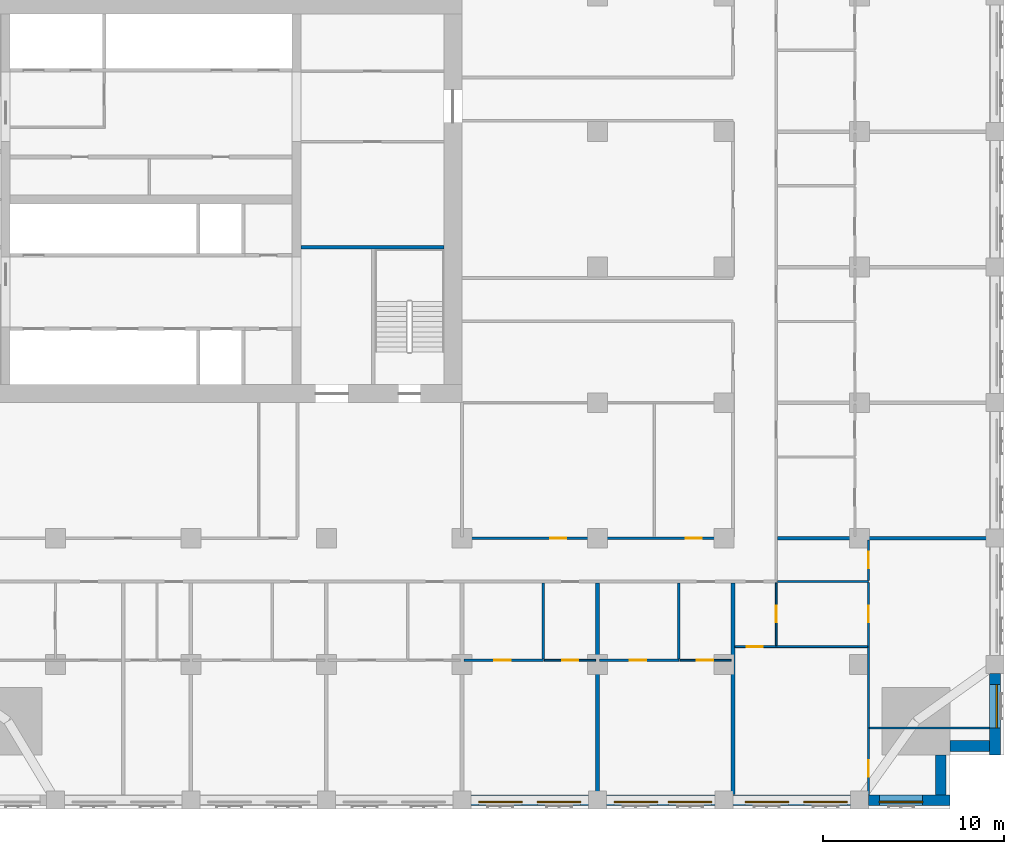
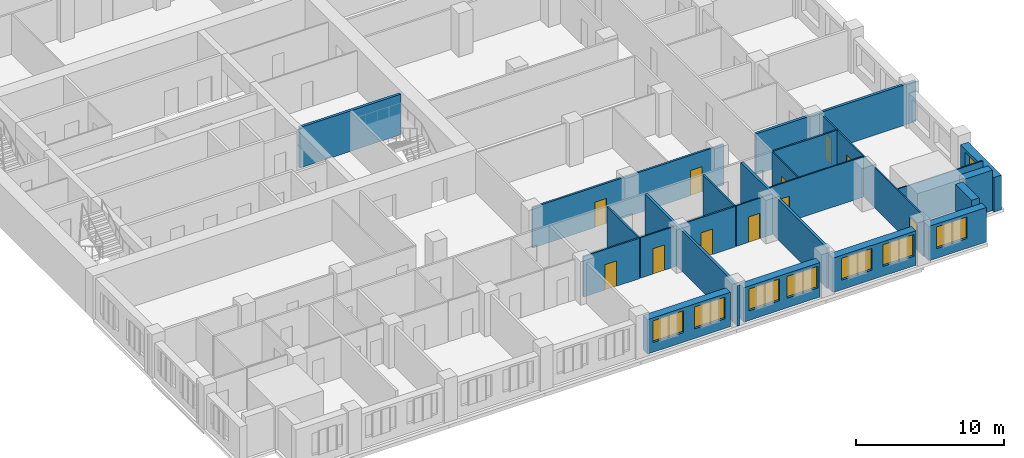
# One storey, part 6 of 14: 24 walls, 11 doors, 8 windows, 19 openings.
"""IFC4 building model written with IfcOpenShell, lengths in metres."""

from ifc_helpers import new_model, si_unit, direction, frame, frame_2d, origin, place, context, subcontext, project, spatial, rectangle, extrude, material, layer, layer_set, type_object, element, fill, save


model = new_model("IFC4")

# Units and contexts
model_context = context("Model", 3, precision=1e-05, world=origin(), true_north=direction((0.0, 1.0)))
body_context = subcontext(model_context, "Body", "Model", "MODEL_VIEW")
ifc_project = project(units=[si_unit("LENGTHUNIT", "METRE"), si_unit("AREAUNIT", "SQUARE_METRE"), si_unit("VOLUMEUNIT", "CUBIC_METRE"), si_unit("PLANEANGLEUNIT", "RADIAN"), si_unit("MASSUNIT", "GRAM", prefix="KILO")], contexts=[model_context])

# Site, building, storey
site_placement = place(None, origin())
site = spatial("IfcSite", under=ifc_project, at=site_placement, CompositionType="ELEMENT")
building_placement = place(site_placement, origin())
building = spatial("IfcBuilding", under=site, at=building_placement, Name="Tamorin Gate", CompositionType="ELEMENT")
storey_placement = place(building_placement, frame((0.0, 0.0, 86.300048828125)))
storey = spatial("IfcBuildingStorey", under=building, at=storey_placement, Name="L20", CompositionType="ELEMENT", Elevation=86.300048828125)

# Wall, openings, windows
ifc_material_1 = material(Name="Precast concrete C40/50", Category="concrete")
ifc_layer_1 = layer(ifc_material_1, 0.60009765625)
ifc_layer_set_1 = layer_set([ifc_layer_1], Name="Precast concrete C40/50")
wall_type_1 = type_object("IfcWallType", Name="Board-marked concrete facade panel 600", PredefinedType="SOLIDWALL", material=ifc_layer_set_1)
wall_1_placement = place(storey_placement, frame((60.5, 38.0, 0.0), z_axis=(0.0, 0.0, 1.0), x_axis=(1.0, 0.0, 0.0)))
wall_1 = element("IfcWall", 1, at=wall_1_placement, inside=storey, type_object=wall_type_1, Name="Facade panel", PredefinedType="SOLIDWALL", context=body_context, shape_type="SweptSolid", body=[
    extrude(rectangle(XDim=6.5, YDim=0.60009765625, at=frame_2d((3.25, 0.0))), origin(), (0.0, 0.0, 1.0), 2.849853515625),
])
opening_1_placement = place(wall_1_placement, frame((0.425048828125, 0.0, 0.800048828125)))
opening_1 = element("IfcOpeningElement", 2, at=opening_1_placement, cuts=wall_1, Name="Opening WN1", PredefinedType="OPENING", context=body_context, shape_type="SweptSolid", body=[
    extrude(rectangle(XDim=2.39990234375, YDim=1.800048828125, at=frame_2d((1.199951171875, 0.89990234375))), frame((0.0, 0.31005859375, 0.0), z_axis=(0.0, -1.0, 0.0), x_axis=(1.0, 0.0, 0.0)), (0.0, 0.0, 1.0), 0.6201171875),
])
opening_2_placement = place(wall_1_placement, frame((3.675048828125, 0.0, 0.800048828125)))
opening_2 = element("IfcOpeningElement", 3, at=opening_2_placement, cuts=wall_1, Name="Opening WN1", PredefinedType="OPENING", context=body_context, shape_type="SweptSolid", body=[
    extrude(rectangle(XDim=2.39990234375, YDim=1.800048828125, at=frame_2d((1.199951171875, 0.89990234375))), frame((0.0, 0.31005859375, 0.0), z_axis=(0.0, -1.0, 0.0), x_axis=(1.0, 0.0, 0.0)), (0.0, 0.0, 1.0), 0.6201171875),
])
ifc_material_2 = material(Name="Clear glass in aluminium frame", Category="aluminium")
window_type = type_object("IfcWindowType", Name="Deep-set window 2400x1800", PartitioningType="SINGLE_PANEL", PredefinedType="WINDOW", material=ifc_material_2)
window_1_placement = place(opening_1_placement, origin())
window_1 = element("IfcWindow", 4, at=window_1_placement, inside=storey, type_object=window_type, Name="Deep-set window", OverallHeight=1.800048828125, OverallWidth=2.39990234375, PartitioningType="SINGLE_PANEL", PredefinedType="WINDOW", context=body_context, shape_type="SweptSolid", body=[
    extrude(rectangle(XDim=2.39990234375, YDim=1.800048828125, at=frame_2d((1.199951171875, 0.89990234375))), frame((0.0, -0.070068359375, 0.0), z_axis=(0.0, -1.0, 0.0), x_axis=(1.0, 0.0, 0.0)), (0.0, 0.0, 1.0), 0.06005859375),
])
fill(opening_1, window_1)
window_2_placement = place(opening_2_placement, origin())
window_2 = element("IfcWindow", 5, at=window_2_placement, inside=storey, type_object=window_type, Name="Deep-set window", OverallHeight=1.800048828125, OverallWidth=2.39990234375, PartitioningType="SINGLE_PANEL", PredefinedType="WINDOW", context=body_context, shape_type="SweptSolid", body=[
    extrude(rectangle(XDim=2.39990234375, YDim=1.800048828125, at=frame_2d((1.199951171875, 0.89990234375))), frame((0.0, -0.070068359375, 0.0), z_axis=(0.0, -1.0, 0.0), x_axis=(1.0, 0.0, 0.0)), (0.0, 0.0, 1.0), 0.06005859375),
])
fill(opening_2, window_2)

wall_2_placement = place(storey_placement, frame((68.0, 38.0, 0.0), z_axis=(0.0, 0.0, 1.0), x_axis=(1.0, 0.0, 0.0)))
wall_2 = element("IfcWall", 6, at=wall_2_placement, inside=storey, type_object=wall_type_1, Name="Facade panel", PredefinedType="SOLIDWALL", context=body_context, shape_type="SweptSolid", body=[
    extrude(rectangle(XDim=6.0, YDim=0.60009765625, at=frame_2d((3.0, 0.0))), origin(), (0.0, 0.0, 1.0), 2.849853515625),
])
opening_3_placement = place(wall_2_placement, frame((0.425048828125, 0.0, 0.800048828125)))
opening_3 = element("IfcOpeningElement", 7, at=opening_3_placement, cuts=wall_2, Name="Opening WN1", PredefinedType="OPENING", context=body_context, shape_type="SweptSolid", body=[
    extrude(rectangle(XDim=2.39990234375, YDim=1.800048828125, at=frame_2d((1.199951171875, 0.89990234375))), frame((0.0, 0.31005859375, 0.0), z_axis=(0.0, -1.0, 0.0), x_axis=(1.0, 0.0, 0.0)), (0.0, 0.0, 1.0), 0.6201171875),
])
opening_4_placement = place(wall_2_placement, frame((3.425048828125, 0.0, 0.800048828125)))
opening_4 = element("IfcOpeningElement", 8, at=opening_4_placement, cuts=wall_2, Name="Opening WN1", PredefinedType="OPENING", context=body_context, shape_type="SweptSolid", body=[
    extrude(rectangle(XDim=2.39990234375, YDim=1.800048828125, at=frame_2d((1.199951171875, 0.89990234375))), frame((0.0, 0.31005859375, 0.0), z_axis=(0.0, -1.0, 0.0), x_axis=(1.0, 0.0, 0.0)), (0.0, 0.0, 1.0), 0.6201171875),
])
window_3_placement = place(opening_3_placement, origin())
window_3 = element("IfcWindow", 9, at=window_3_placement, inside=storey, type_object=window_type, Name="Deep-set window", OverallHeight=1.800048828125, OverallWidth=2.39990234375, PartitioningType="SINGLE_PANEL", PredefinedType="WINDOW", context=body_context, shape_type="SweptSolid", body=[
    extrude(rectangle(XDim=2.39990234375, YDim=1.800048828125, at=frame_2d((1.199951171875, 0.89990234375))), frame((0.0, -0.070068359375, 0.0), z_axis=(0.0, -1.0, 0.0), x_axis=(1.0, 0.0, 0.0)), (0.0, 0.0, 1.0), 0.06005859375),
])
fill(opening_3, window_3)
window_4_placement = place(opening_4_placement, origin())
window_4 = element("IfcWindow", 10, at=window_4_placement, inside=storey, type_object=window_type, Name="Deep-set window", OverallHeight=1.800048828125, OverallWidth=2.39990234375, PartitioningType="SINGLE_PANEL", PredefinedType="WINDOW", context=body_context, shape_type="SweptSolid", body=[
    extrude(rectangle(XDim=2.39990234375, YDim=1.800048828125, at=frame_2d((1.199951171875, 0.89990234375))), frame((0.0, -0.070068359375, 0.0), z_axis=(0.0, -1.0, 0.0), x_axis=(1.0, 0.0, 0.0)), (0.0, 0.0, 1.0), 0.06005859375),
])
fill(opening_4, window_4)

wall_3_placement = place(storey_placement, frame((75.0, 38.0, 0.0), z_axis=(0.0, 0.0, 1.0), x_axis=(1.0, 0.0, 0.0)))
wall_3 = element("IfcWall", 11, at=wall_3_placement, inside=storey, type_object=wall_type_1, Name="Facade panel", PredefinedType="SOLIDWALL", context=body_context, shape_type="SweptSolid", body=[
    extrude(rectangle(XDim=6.5, YDim=0.60009765625, at=frame_2d((3.25, 0.0))), origin(), (0.0, 0.0, 1.0), 2.849853515625),
])
opening_5_placement = place(wall_3_placement, frame((0.675048828125, 0.0, 0.800048828125)))
opening_5 = element("IfcOpeningElement", 12, at=opening_5_placement, cuts=wall_3, Name="Opening WN1", PredefinedType="OPENING", context=body_context, shape_type="SweptSolid", body=[
    extrude(rectangle(XDim=2.39990234375, YDim=1.800048828125, at=frame_2d((1.199951171875, 0.89990234375))), frame((0.0, 0.31005859375, 0.0), z_axis=(0.0, -1.0, 0.0), x_axis=(1.0, 0.0, 0.0)), (0.0, 0.0, 1.0), 0.6201171875),
])
opening_6_placement = place(wall_3_placement, frame((3.925048828125, 0.0, 0.800048828125)))
opening_6 = element("IfcOpeningElement", 13, at=opening_6_placement, cuts=wall_3, Name="Opening WN1", PredefinedType="OPENING", context=body_context, shape_type="SweptSolid", body=[
    extrude(rectangle(XDim=2.39990234375, YDim=1.800048828125, at=frame_2d((1.199951171875, 0.89990234375))), frame((0.0, 0.31005859375, 0.0), z_axis=(0.0, -1.0, 0.0), x_axis=(1.0, 0.0, 0.0)), (0.0, 0.0, 1.0), 0.6201171875),
])
window_5_placement = place(opening_5_placement, origin())
window_5 = element("IfcWindow", 14, at=window_5_placement, inside=storey, type_object=window_type, Name="Deep-set window", OverallHeight=1.800048828125, OverallWidth=2.39990234375, PartitioningType="SINGLE_PANEL", PredefinedType="WINDOW", context=body_context, shape_type="SweptSolid", body=[
    extrude(rectangle(XDim=2.39990234375, YDim=1.800048828125, at=frame_2d((1.199951171875, 0.89990234375))), frame((0.0, -0.070068359375, 0.0), z_axis=(0.0, -1.0, 0.0), x_axis=(1.0, 0.0, 0.0)), (0.0, 0.0, 1.0), 0.06005859375),
])
fill(opening_5, window_5)
window_6_placement = place(opening_6_placement, origin())
window_6 = element("IfcWindow", 15, at=window_6_placement, inside=storey, type_object=window_type, Name="Deep-set window", OverallHeight=1.800048828125, OverallWidth=2.39990234375, PartitioningType="SINGLE_PANEL", PredefinedType="WINDOW", context=body_context, shape_type="SweptSolid", body=[
    extrude(rectangle(XDim=2.39990234375, YDim=1.800048828125, at=frame_2d((1.199951171875, 0.89990234375))), frame((0.0, -0.070068359375, 0.0), z_axis=(0.0, -1.0, 0.0), x_axis=(1.0, 0.0, 0.0)), (0.0, 0.0, 1.0), 0.06005859375),
])
fill(opening_6, window_6)

# Wall, opening, window
wall_4_placement = place(storey_placement, frame((82.5, 38.0, 0.0), z_axis=(0.0, 0.0, 1.0), x_axis=(1.0, 0.0, 0.0)))
wall_4 = element("IfcWall", 16, at=wall_4_placement, inside=storey, type_object=wall_type_1, Name="Facade panel", PredefinedType="SOLIDWALL", context=body_context, shape_type="SweptSolid", body=[
    extrude(rectangle(XDim=4.5, YDim=0.60009765625, at=frame_2d((2.25, 0.0))), origin(), (0.0, 0.0, 1.0), 2.849853515625),
])
opening_7_placement = place(wall_4_placement, frame((0.60009765625, 0.0, 0.800048828125)))
opening_7 = element("IfcOpeningElement", 17, at=opening_7_placement, cuts=wall_4, Name="Opening WN1", PredefinedType="OPENING", context=body_context, shape_type="SweptSolid", body=[
    extrude(rectangle(XDim=2.39990234375, YDim=1.800048828125, at=frame_2d((1.199951171875, 0.89990234375))), frame((0.0, 0.31005859375, 0.0), z_axis=(0.0, -1.0, 0.0), x_axis=(1.0, 0.0, 0.0)), (0.0, 0.0, 1.0), 0.6201171875),
])
window_7_placement = place(opening_7_placement, origin())
window_7 = element("IfcWindow", 18, at=window_7_placement, inside=storey, type_object=window_type, Name="Deep-set window", OverallHeight=1.800048828125, OverallWidth=2.39990234375, PartitioningType="SINGLE_PANEL", PredefinedType="WINDOW", context=body_context, shape_type="SweptSolid", body=[
    extrude(rectangle(XDim=2.39990234375, YDim=1.800048828125, at=frame_2d((1.199951171875, 0.89990234375))), frame((0.0, -0.070068359375, 0.0), z_axis=(0.0, -1.0, 0.0), x_axis=(1.0, 0.0, 0.0)), (0.0, 0.0, 1.0), 0.06005859375),
])
fill(opening_7, window_7)

# Walls
for number, where, z_axis, x_axis, name in (
    (19, (86.5, 38.300048828125, 0.0), (0.0, 0.0, 1.0), (0.0, 1.0, 0.0), "Facade panel"),
    (20, (87.0, 41.0, 0.0), (0.0, 0.0, 1.0), (1.0, 0.0, 0.0), "Facade panel"),
):
    element("IfcWall", number, at=place(storey_placement, frame(where, z_axis=z_axis, x_axis=x_axis)), inside=storey, type_object=wall_type_1, Name=name, PredefinedType="SOLIDWALL", context=body_context, shape_type="SweptSolid", body=[
        extrude(rectangle(XDim=2.199951171875, YDim=0.60009765625, at=frame_2d((1.10009765625, 0.0))), origin(), (0.0, 0.0, 1.0), 3.349853515625),
    ])

# Wall, opening, window
wall_5_placement = place(storey_placement, frame((89.5, 40.5, 0.0), z_axis=(0.0, 0.0, 1.0), x_axis=(0.0, 1.0, 0.0)))
wall_5 = element("IfcWall", 21, at=wall_5_placement, inside=storey, type_object=wall_type_1, Name="Facade panel", PredefinedType="SOLIDWALL", context=body_context, shape_type="SweptSolid", body=[
    extrude(rectangle(XDim=4.5, YDim=0.60009765625, at=frame_2d((2.25, 0.0))), origin(), (0.0, 0.0, 1.0), 2.849853515625),
])
opening_8_placement = place(wall_5_placement, frame((1.5, 0.0, 0.800048828125)))
opening_8 = element("IfcOpeningElement", 22, at=opening_8_placement, cuts=wall_5, Name="Opening WN1", PredefinedType="OPENING", context=body_context, shape_type="SweptSolid", body=[
    extrude(rectangle(XDim=2.39990234375, YDim=1.800048828125, at=frame_2d((1.199951171875, 0.89990234375))), frame((0.0, 0.31005859375, 0.0), z_axis=(0.0, -1.0, 0.0), x_axis=(1.0, 0.0, 0.0)), (0.0, 0.0, 1.0), 0.6201171875),
])
window_8_placement = place(opening_8_placement, origin())
window_8 = element("IfcWindow", 23, at=window_8_placement, inside=storey, type_object=window_type, Name="Deep-set window", OverallHeight=1.800048828125, OverallWidth=2.39990234375, PartitioningType="SINGLE_PANEL", PredefinedType="WINDOW", context=body_context, shape_type="SweptSolid", body=[
    extrude(rectangle(XDim=2.39990234375, YDim=1.800048828125, at=frame_2d((1.199951171875, 0.89990234375))), frame((0.0, -0.070068359375, 0.0), z_axis=(0.0, -1.0, 0.0), x_axis=(1.0, 0.0, 0.0)), (0.0, 0.0, 1.0), 0.06005859375),
])
fill(opening_8, window_8)

# Wall, openings, doors
ifc_material_3 = material(Name="Gypsum board partition")
ifc_layer_2 = layer(ifc_material_3, 0.14990234375)
ifc_layer_set_2 = layer_set([ifc_layer_2], Name="Corridor wall 150")
wall_type_2 = type_object("IfcWallType", Name="Corridor wall 150", PredefinedType="PARTITIONING", material=ifc_layer_set_2)
wall_6_placement = place(storey_placement, frame((60.0, 52.5, 0.0), z_axis=(0.0, 0.0, 1.0), x_axis=(1.0, 0.0, 0.0)))
wall_6 = element("IfcWall", 24, at=wall_6_placement, inside=storey, type_object=wall_type_2, Name="Corridor wall 150", PredefinedType="PARTITIONING", context=body_context, shape_type="SweptSolid", body=[
    extrude(rectangle(XDim=15.0, YDim=0.14990234375, at=frame_2d((7.5, 0.0))), origin(), (0.0, 0.0, 1.0), 3.349853515625),
])
opening_9_placement = place(wall_6_placement, frame((4.875, 0.0, 0.0)))
opening_9 = element("IfcOpeningElement", 25, at=opening_9_placement, cuts=wall_6, Name="Opening DH7068", PredefinedType="OPENING", context=body_context, shape_type="SweptSolid", body=[
    extrude(rectangle(XDim=0.89990234375, YDim=2.10009765625, at=frame_2d((0.449951171875, 1.050048828125))), frame((0.0, 0.0849609375, 0.0), z_axis=(0.0, -1.0, 0.0), x_axis=(1.0, 0.0, 0.0)), (0.0, 0.0, 1.0), 0.169921875),
])
opening_10_placement = place(wall_6_placement, frame((12.375, 0.0, 0.0)))
opening_10 = element("IfcOpeningElement", 26, at=opening_10_placement, cuts=wall_6, Name="Opening DH7069", PredefinedType="OPENING", context=body_context, shape_type="SweptSolid", body=[
    extrude(rectangle(XDim=0.89990234375, YDim=2.10009765625, at=frame_2d((0.449951171875, 1.050048828125))), frame((0.0, 0.0849609375, 0.0), z_axis=(0.0, -1.0, 0.0), x_axis=(1.0, 0.0, 0.0)), (0.0, 0.0, 1.0), 0.169921875),
])
ifc_material_4 = material(Name="Timber door leaf", Category="wood")
door_type_1 = type_object("IfcDoorType", Name="Door 900 x 2100 FD30S", OperationType="NOTDEFINED", PredefinedType="DOOR", material=ifc_material_4)
door_1_placement = place(opening_9_placement, origin())
door_1 = element("IfcDoor", 27, at=door_1_placement, inside=storey, type_object=door_type_1, Name="Door DH7068", OperationType="SINGLE_SWING_RIGHT", OverallHeight=2.10009765625, OverallWidth=0.89990234375, PredefinedType="DOOR", context=body_context, shape_type="SweptSolid", body=[
    extrude(rectangle(XDim=0.89990234375, YDim=2.10009765625, at=frame_2d((0.449951171875, 1.050048828125))), frame((0.0, 0.02490234375, 0.0), z_axis=(0.0, -1.0, 0.0), x_axis=(1.0, 0.0, 0.0)), (0.0, 0.0, 1.0), 0.050048828125),
])
fill(opening_9, door_1)
door_2_placement = place(opening_10_placement, origin())
door_2 = element("IfcDoor", 28, at=door_2_placement, inside=storey, type_object=door_type_1, Name="Door DH7069", OperationType="SINGLE_SWING_RIGHT", OverallHeight=2.10009765625, OverallWidth=0.89990234375, PredefinedType="DOOR", context=body_context, shape_type="SweptSolid", body=[
    extrude(rectangle(XDim=0.89990234375, YDim=2.10009765625, at=frame_2d((0.449951171875, 1.050048828125))), frame((0.0, 0.02490234375, 0.0), z_axis=(0.0, -1.0, 0.0), x_axis=(1.0, 0.0, 0.0)), (0.0, 0.0, 1.0), 0.050048828125),
])
fill(opening_10, door_2)

# Walls
ifc_layer_3 = layer(ifc_material_3, 0.199951171875)
ifc_layer_set_3 = layer_set([ifc_layer_3], Name="Demising wall 200")
wall_type_3 = type_object("IfcWallType", Name="Demising wall 200", PredefinedType="PARTITIONING", material=ifc_layer_set_3)
for number, where, z_axis, x_axis, name in (
    (29, (77.47509765625, 52.5, 0.0), (0.0, 0.0, 1.0), (1.0, 0.0, 0.0), "Demising wall 200"),
    (30, (67.5, 37.5, 0.0), (0.0, 0.0, 1.0), (0.0, 1.0, 0.0), "Demising wall 200"),
):
    element("IfcWall", number, at=place(storey_placement, frame(where, z_axis=z_axis, x_axis=x_axis)), inside=storey, type_object=wall_type_3, Name=name, PredefinedType="PARTITIONING", context=body_context, shape_type="SweptSolid", body=[
        extrude(rectangle(XDim=12.52490234375, YDim=0.199951171875, at=frame_2d((6.262451171875, 0.0))), origin(), (0.0, 0.0, 1.0), 3.349853515625),
    ])
wall_7_placement = place(storey_placement, frame((75.0, 38.31005859375, 0.0), z_axis=(0.0, 0.0, 1.0), x_axis=(0.0, 1.0, 0.0)))
element("IfcWall", 31, at=wall_7_placement, inside=storey, type_object=wall_type_3, Name="Demising wall 200", PredefinedType="PARTITIONING", context=body_context, shape_type="SweptSolid", body=[
    extrude(rectangle(XDim=11.71484375, YDim=0.199951171875, at=frame_2d((5.857421875, 0.0))), origin(), (0.0, 0.0, 1.0), 3.349853515625),
])
ifc_layer_4 = layer(ifc_material_3, 0.10009765625)
ifc_layer_set_4 = layer_set([ifc_layer_4], Name="Room partition 100")
wall_type_4 = type_object("IfcWallType", Name="Room partition 100", PredefinedType="PARTITIONING", material=ifc_layer_set_4)
wall_8_placement = place(storey_placement, frame((82.550048828125, 42.0, 0.0), z_axis=(0.0, 0.0, 1.0), x_axis=(1.0, 0.0, 0.0)))
element("IfcWall", 32, at=wall_8_placement, inside=storey, type_object=wall_type_4, Name="Room partition 100", PredefinedType="PARTITIONING", context=body_context, shape_type="SweptSolid", body=[
    extrude(rectangle(XDim=6.639892578125, YDim=0.10009765625, at=frame_2d((3.31982421875, 0.0))), origin(), (0.0, 0.0, 1.0), 3.349853515625),
])

# Wall, opening, door
wall_9_placement = place(storey_placement, frame((64.5625, 45.75, 0.0), z_axis=(0.0, 0.0, 1.0), x_axis=(1.0, 0.0, 0.0)))
wall_9 = element("IfcWall", 33, at=wall_9_placement, inside=storey, type_object=wall_type_4, Name="Room partition 100", PredefinedType="PARTITIONING", context=body_context, shape_type="SweptSolid", body=[
    extrude(rectangle(XDim=2.83740234375, YDim=0.10009765625, at=frame_2d((1.418701171875, 0.0))), origin(), (0.0, 0.0, 1.0), 3.349853515625),
])
opening_11_placement = place(wall_9_placement, frame((0.987548828125, 0.0, 0.0)))
opening_11 = element("IfcOpeningElement", 34, at=opening_11_placement, cuts=wall_9, Name="Opening DH7016", PredefinedType="OPENING", context=body_context, shape_type="SweptSolid", body=[
    extrude(rectangle(XDim=0.89990234375, YDim=2.10009765625, at=frame_2d((0.449951171875, 1.050048828125))), frame((0.0, 0.06005859375, 0.0), z_axis=(0.0, -1.0, 0.0), x_axis=(1.0, 0.0, 0.0)), (0.0, 0.0, 1.0), 0.1201171875),
])
door_type_2 = type_object("IfcDoorType", Name="Door 900 x 2100", OperationType="NOTDEFINED", PredefinedType="DOOR", material=ifc_material_4)
door_3_placement = place(opening_11_placement, origin())
door_3 = element("IfcDoor", 35, at=door_3_placement, inside=storey, type_object=door_type_2, Name="Door DH7016", OperationType="SINGLE_SWING_LEFT", OverallHeight=2.10009765625, OverallWidth=0.89990234375, PredefinedType="DOOR", context=body_context, shape_type="SweptSolid", body=[
    extrude(rectangle(XDim=0.89990234375, YDim=2.10009765625, at=frame_2d((0.449951171875, 1.050048828125))), frame((0.0, 0.02490234375, 0.0), z_axis=(0.0, -1.0, 0.0), x_axis=(1.0, 0.0, 0.0)), (0.0, 0.0, 1.0), 0.050048828125),
])
fill(opening_11, door_3)

wall_10_placement = place(storey_placement, frame((72.0625, 45.75, 0.0), z_axis=(0.0, 0.0, 1.0), x_axis=(1.0, 0.0, 0.0)))
wall_10 = element("IfcWall", 36, at=wall_10_placement, inside=storey, type_object=wall_type_4, Name="Room partition 100", PredefinedType="PARTITIONING", context=body_context, shape_type="SweptSolid", body=[
    extrude(rectangle(XDim=2.83740234375, YDim=0.10009765625, at=frame_2d((1.418701171875, 0.0))), origin(), (0.0, 0.0, 1.0), 3.349853515625),
])
opening_12_placement = place(wall_10_placement, frame((0.9375, 0.0, 0.0)))
opening_12 = element("IfcOpeningElement", 37, at=opening_12_placement, cuts=wall_10, Name="Opening DH7019", PredefinedType="OPENING", context=body_context, shape_type="SweptSolid", body=[
    extrude(rectangle(XDim=0.89990234375, YDim=2.10009765625, at=frame_2d((0.449951171875, 1.050048828125))), frame((0.0, 0.06005859375, 0.0), z_axis=(0.0, -1.0, 0.0), x_axis=(1.0, 0.0, 0.0)), (0.0, 0.0, 1.0), 0.1201171875),
])
door_4_placement = place(opening_12_placement, origin())
door_4 = element("IfcDoor", 38, at=door_4_placement, inside=storey, type_object=door_type_2, Name="Door DH7019", OperationType="SINGLE_SWING_LEFT", OverallHeight=2.10009765625, OverallWidth=0.89990234375, PredefinedType="DOOR", context=body_context, shape_type="SweptSolid", body=[
    extrude(rectangle(XDim=0.89990234375, YDim=2.10009765625, at=frame_2d((0.449951171875, 1.050048828125))), frame((0.0, 0.02490234375, 0.0), z_axis=(0.0, -1.0, 0.0), x_axis=(1.0, 0.0, 0.0)), (0.0, 0.0, 1.0), 0.050048828125),
])
fill(opening_12, door_4)

wall_11_placement = place(storey_placement, frame((75.10009765625, 46.5, 0.0), z_axis=(0.0, 0.0, 1.0), x_axis=(1.0, 0.0, 0.0)))
wall_11 = element("IfcWall", 39, at=wall_11_placement, inside=storey, type_object=wall_type_4, Name="Room partition 100", PredefinedType="PARTITIONING", context=body_context, shape_type="SweptSolid", body=[
    extrude(rectangle(XDim=7.349853515625, YDim=0.10009765625, at=frame_2d((3.6748046875, 0.0))), origin(), (0.0, 0.0, 1.0), 3.349853515625),
])
opening_13_placement = place(wall_11_placement, frame((0.64990234375, 0.0, 0.0)))
opening_13 = element("IfcOpeningElement", 40, at=opening_13_placement, cuts=wall_11, Name="Opening DH7055", PredefinedType="OPENING", context=body_context, shape_type="SweptSolid", body=[
    extrude(rectangle(XDim=0.89990234375, YDim=2.10009765625, at=frame_2d((0.449951171875, 1.050048828125))), frame((0.0, 0.06005859375, 0.0), z_axis=(0.0, -1.0, 0.0), x_axis=(1.0, 0.0, 0.0)), (0.0, 0.0, 1.0), 0.1201171875),
])
door_5_placement = place(opening_13_placement, origin())
door_5 = element("IfcDoor", 41, at=door_5_placement, inside=storey, type_object=door_type_2, Name="Door DH7055", OperationType="SINGLE_SWING_RIGHT", OverallHeight=2.10009765625, OverallWidth=0.89990234375, PredefinedType="DOOR", context=body_context, shape_type="SweptSolid", body=[
    extrude(rectangle(XDim=0.89990234375, YDim=2.10009765625, at=frame_2d((0.449951171875, 1.050048828125))), frame((0.0, 0.02490234375, 0.0), z_axis=(0.0, -1.0, 0.0), x_axis=(1.0, 0.0, 0.0)), (0.0, 0.0, 1.0), 0.050048828125),
])
fill(opening_13, door_5)

wall_12_placement = place(storey_placement, frame((77.39990234375, 46.550048828125, 0.0), z_axis=(0.0, 0.0, 1.0), x_axis=(0.0, 1.0, 0.0)))
wall_12 = element("IfcWall", 42, at=wall_12_placement, inside=storey, type_object=wall_type_4, Name="Room partition 100", PredefinedType="PARTITIONING", context=body_context, shape_type="SweptSolid", body=[
    extrude(rectangle(XDim=3.474853515625, YDim=0.10009765625, at=frame_2d((1.7373046875, 0.0))), origin(), (0.0, 0.0, 1.0), 3.349853515625),
])
opening_14_placement = place(wall_12_placement, frame((1.300048828125, 0.0, 0.0)))
opening_14 = element("IfcOpeningElement", 43, at=opening_14_placement, cuts=wall_12, Name="Opening DH7056", PredefinedType="OPENING", context=body_context, shape_type="SweptSolid", body=[
    extrude(rectangle(XDim=0.89990234375, YDim=2.10009765625, at=frame_2d((0.449951171875, 1.050048828125))), frame((0.0, 0.06005859375, 0.0), z_axis=(0.0, -1.0, 0.0), x_axis=(1.0, 0.0, 0.0)), (0.0, 0.0, 1.0), 0.1201171875),
])
door_6_placement = place(opening_14_placement, origin())
door_6 = element("IfcDoor", 44, at=door_6_placement, inside=storey, type_object=door_type_2, Name="Door DH7056", OperationType="SINGLE_SWING_RIGHT", OverallHeight=2.10009765625, OverallWidth=0.89990234375, PredefinedType="DOOR", context=body_context, shape_type="SweptSolid", body=[
    extrude(rectangle(XDim=0.89990234375, YDim=2.10009765625, at=frame_2d((0.449951171875, 1.050048828125))), frame((0.0, 0.02490234375, 0.0), z_axis=(0.0, -1.0, 0.0), x_axis=(1.0, 0.0, 0.0)), (0.0, 0.0, 1.0), 0.050048828125),
])
fill(opening_14, door_6)

# Wall, openings, doors
wall_13_placement = place(storey_placement, frame((82.5, 38.31005859375, 0.0), z_axis=(0.0, 0.0, 1.0), x_axis=(0.0, 1.0, 0.0)))
wall_13 = element("IfcWall", 45, at=wall_13_placement, inside=storey, type_object=wall_type_4, Name="Room partition 100", PredefinedType="PARTITIONING", context=body_context, shape_type="SweptSolid", body=[
    extrude(rectangle(XDim=11.7275390625, YDim=0.10009765625, at=frame_2d((5.86376953125, 0.0))), origin(), (0.0, 0.0, 1.0), 3.349853515625),
])
opening_15_placement = place(wall_13_placement, frame((0.989990234375, 0.0, 0.0)))
opening_15 = element("IfcOpeningElement", 46, at=opening_15_placement, cuts=wall_13, Name="Opening DH7057", PredefinedType="OPENING", context=body_context, shape_type="SweptSolid", body=[
    extrude(rectangle(XDim=0.89990234375, YDim=2.10009765625, at=frame_2d((0.449951171875, 1.050048828125))), frame((0.0, 0.06005859375, 0.0), z_axis=(0.0, -1.0, 0.0), x_axis=(1.0, 0.0, 0.0)), (0.0, 0.0, 1.0), 0.1201171875),
])
opening_16_placement = place(wall_13_placement, frame((9.5400390625, 0.0, 0.0)))
opening_16 = element("IfcOpeningElement", 47, at=opening_16_placement, cuts=wall_13, Name="Opening DH7058", PredefinedType="OPENING", context=body_context, shape_type="SweptSolid", body=[
    extrude(rectangle(XDim=0.89990234375, YDim=2.10009765625, at=frame_2d((0.449951171875, 1.050048828125))), frame((0.0, 0.06005859375, 0.0), z_axis=(0.0, -1.0, 0.0), x_axis=(1.0, 0.0, 0.0)), (0.0, 0.0, 1.0), 0.1201171875),
])
door_7_placement = place(opening_15_placement, origin())
door_7 = element("IfcDoor", 48, at=door_7_placement, inside=storey, type_object=door_type_2, Name="Door DH7057", OperationType="SINGLE_SWING_LEFT", OverallHeight=2.10009765625, OverallWidth=0.89990234375, PredefinedType="DOOR", context=body_context, shape_type="SweptSolid", body=[
    extrude(rectangle(XDim=0.89990234375, YDim=2.10009765625, at=frame_2d((0.449951171875, 1.050048828125))), frame((0.0, 0.02490234375, 0.0), z_axis=(0.0, -1.0, 0.0), x_axis=(1.0, 0.0, 0.0)), (0.0, 0.0, 1.0), 0.050048828125),
])
fill(opening_15, door_7)
door_8_placement = place(opening_16_placement, origin())
door_8 = element("IfcDoor", 49, at=door_8_placement, inside=storey, type_object=door_type_2, Name="Door DH7058", OperationType="SINGLE_SWING_RIGHT", OverallHeight=2.10009765625, OverallWidth=0.89990234375, PredefinedType="DOOR", context=body_context, shape_type="SweptSolid", body=[
    extrude(rectangle(XDim=0.89990234375, YDim=2.10009765625, at=frame_2d((0.449951171875, 1.050048828125))), frame((0.0, 0.02490234375, 0.0), z_axis=(0.0, -1.0, 0.0), x_axis=(1.0, 0.0, 0.0)), (0.0, 0.0, 1.0), 0.050048828125),
])
fill(opening_16, door_8)

# Wall
ifc_material_5 = material(Name="Concrete C40/50", Category="concrete")
ifc_layer_5 = layer(ifc_material_5, 0.199951171875)
ifc_layer_set_5 = layer_set([ifc_layer_5], Name="Stair enclosure wall 200 EI 120 C40/50")
wall_type_5 = type_object("IfcWallType", Name="Stair enclosure wall 200 EI 120 C40/50", PredefinedType="SOLIDWALL", material=ifc_layer_set_5)
wall_14_placement = place(storey_placement, frame((51.10009765625, 68.60009765625, 0.0), z_axis=(0.0, 0.0, 1.0), x_axis=(1.0, 0.0, 0.0)))
element("IfcWall", 50, at=wall_14_placement, inside=storey, type_object=wall_type_5, Name="Stair enclosure wall", PredefinedType="SOLIDWALL", context=body_context, shape_type="SweptSolid", body=[
    extrude(rectangle(XDim=7.89990234375, YDim=0.199951171875, at=frame_2d((3.949951171875, 0.0))), origin(), (0.0, 0.0, 1.0), 3.349853515625),
])

# Wall, opening, door
ifc_layer_6 = layer(ifc_material_3, 0.125)
ifc_layer_set_6 = layer_set([ifc_layer_6], Name="Wet wall 125")
wall_type_6 = type_object("IfcWallType", Name="Wet wall 125", PredefinedType="PARTITIONING", material=ifc_layer_set_6)
wall_15_placement = place(storey_placement, frame((60.10009765625, 45.75, 0.0), z_axis=(0.0, 0.0, 1.0), x_axis=(1.0, 0.0, 0.0)))
wall_15 = element("IfcWall", 51, at=wall_15_placement, inside=storey, type_object=wall_type_6, Name="Wet wall 125", PredefinedType="PARTITIONING", context=body_context, shape_type="SweptSolid", body=[
    extrude(rectangle(XDim=4.39990234375, YDim=0.125, at=frame_2d((2.199951171875, 0.0))), origin(), (0.0, 0.0, 1.0), 3.349853515625),
])
opening_17_placement = place(wall_15_placement, frame((1.699951171875, 0.0, 0.0)))
opening_17 = element("IfcOpeningElement", 52, at=opening_17_placement, cuts=wall_15, Name="Opening DH7014", PredefinedType="OPENING", context=body_context, shape_type="SweptSolid", body=[
    extrude(rectangle(XDim=0.89990234375, YDim=2.10009765625, at=frame_2d((0.449951171875, 1.050048828125))), frame((0.0, 0.072509765625, 0.0), z_axis=(0.0, -1.0, 0.0), x_axis=(1.0, 0.0, 0.0)), (0.0, 0.0, 1.0), 0.14501953125),
])
door_9_placement = place(opening_17_placement, origin())
door_9 = element("IfcDoor", 53, at=door_9_placement, inside=storey, type_object=door_type_2, Name="Door DH7014", OperationType="SINGLE_SWING_LEFT", OverallHeight=2.10009765625, OverallWidth=0.89990234375, PredefinedType="DOOR", context=body_context, shape_type="SweptSolid", body=[
    extrude(rectangle(XDim=0.89990234375, YDim=2.10009765625, at=frame_2d((0.449951171875, 1.050048828125))), frame((0.0, 0.02490234375, 0.0), z_axis=(0.0, -1.0, 0.0), x_axis=(1.0, 0.0, 0.0)), (0.0, 0.0, 1.0), 0.050048828125),
])
fill(opening_17, door_9)

wall_16_placement = place(storey_placement, frame((67.60009765625, 45.75, 0.0), z_axis=(0.0, 0.0, 1.0), x_axis=(1.0, 0.0, 0.0)))
wall_16 = element("IfcWall", 54, at=wall_16_placement, inside=storey, type_object=wall_type_6, Name="Wet wall 125", PredefinedType="PARTITIONING", context=body_context, shape_type="SweptSolid", body=[
    extrude(rectangle(XDim=4.39990234375, YDim=0.125, at=frame_2d((2.199951171875, 0.0))), origin(), (0.0, 0.0, 1.0), 3.349853515625),
])
opening_18_placement = place(wall_16_placement, frame((1.699951171875, 0.0, 0.0)))
opening_18 = element("IfcOpeningElement", 55, at=opening_18_placement, cuts=wall_16, Name="Opening DH7017", PredefinedType="OPENING", context=body_context, shape_type="SweptSolid", body=[
    extrude(rectangle(XDim=0.89990234375, YDim=2.10009765625, at=frame_2d((0.449951171875, 1.050048828125))), frame((0.0, 0.072509765625, 0.0), z_axis=(0.0, -1.0, 0.0), x_axis=(1.0, 0.0, 0.0)), (0.0, 0.0, 1.0), 0.14501953125),
])
door_10_placement = place(opening_18_placement, origin())
door_10 = element("IfcDoor", 56, at=door_10_placement, inside=storey, type_object=door_type_2, Name="Door DH7017", OperationType="SINGLE_SWING_LEFT", OverallHeight=2.10009765625, OverallWidth=0.89990234375, PredefinedType="DOOR", context=body_context, shape_type="SweptSolid", body=[
    extrude(rectangle(XDim=0.89990234375, YDim=2.10009765625, at=frame_2d((0.449951171875, 1.050048828125))), frame((0.0, 0.02490234375, 0.0), z_axis=(0.0, -1.0, 0.0), x_axis=(1.0, 0.0, 0.0)), (0.0, 0.0, 1.0), 0.050048828125),
])
fill(opening_18, door_10)

# Walls
wall_17_placement = place(storey_placement, frame((77.47509765625, 50.10009765625, 0.0), z_axis=(0.0, 0.0, 1.0), x_axis=(1.0, 0.0, 0.0)))
element("IfcWall", 57, at=wall_17_placement, inside=storey, type_object=wall_type_6, Name="Wet wall 125", PredefinedType="PARTITIONING", context=body_context, shape_type="SweptSolid", body=[
    extrude(rectangle(XDim=5.02490234375, YDim=0.125, at=frame_2d((2.512451171875, 0.0))), origin(), (0.0, 0.0, 1.0), 3.349853515625),
])
for number, where, z_axis, x_axis, name in (
    (58, (64.5, 45.8125, 0.0), (0.0, 0.0, 1.0), (0.0, 1.0, 0.0), "Wet wall 125"),
    (59, (72.0, 45.8125, 0.0), (0.0, 0.0, 1.0), (0.0, 1.0, 0.0), "Wet wall 125"),
):
    element("IfcWall", number, at=place(storey_placement, frame(where, z_axis=z_axis, x_axis=x_axis)), inside=storey, type_object=wall_type_6, Name=name, PredefinedType="PARTITIONING", context=body_context, shape_type="SweptSolid", body=[
        extrude(rectangle(XDim=4.21240234375, YDim=0.125, at=frame_2d((2.106201171875, 0.0))), origin(), (0.0, 0.0, 1.0), 3.349853515625),
    ])

# Wall, opening, door
wall_18_placement = place(storey_placement, frame((82.5, 50.16259765625, 0.0), z_axis=(0.0, 0.0, 1.0), x_axis=(0.0, 1.0, 0.0)))
wall_18 = element("IfcWall", 60, at=wall_18_placement, inside=storey, type_object=wall_type_6, Name="Wet wall 125", PredefinedType="PARTITIONING", context=body_context, shape_type="SweptSolid", body=[
    extrude(rectangle(XDim=2.2373046875, YDim=0.125, at=frame_2d((1.11865234375, 0.0))), origin(), (0.0, 0.0, 1.0), 3.349853515625),
])
opening_19_placement = place(wall_18_placement, frame((0.6875, 0.0, 0.0)))
opening_19 = element("IfcOpeningElement", 61, at=opening_19_placement, cuts=wall_18, Name="Opening DH7059", PredefinedType="OPENING", context=body_context, shape_type="SweptSolid", body=[
    extrude(rectangle(XDim=0.89990234375, YDim=2.10009765625, at=frame_2d((0.449951171875, 1.050048828125))), frame((0.0, 0.072509765625, 0.0), z_axis=(0.0, -1.0, 0.0), x_axis=(1.0, 0.0, 0.0)), (0.0, 0.0, 1.0), 0.14501953125),
])
door_11_placement = place(opening_19_placement, origin())
door_11 = element("IfcDoor", 62, at=door_11_placement, inside=storey, type_object=door_type_2, Name="Door DH7059", OperationType="SINGLE_SWING_LEFT", OverallHeight=2.10009765625, OverallWidth=0.89990234375, PredefinedType="DOOR", context=body_context, shape_type="SweptSolid", body=[
    extrude(rectangle(XDim=0.89990234375, YDim=2.10009765625, at=frame_2d((0.449951171875, 1.050048828125))), frame((0.0, 0.02490234375, 0.0), z_axis=(0.0, -1.0, 0.0), x_axis=(1.0, 0.0, 0.0)), (0.0, 0.0, 1.0), 0.050048828125),
])
fill(opening_19, door_11)

save(model, "model.ifc")
